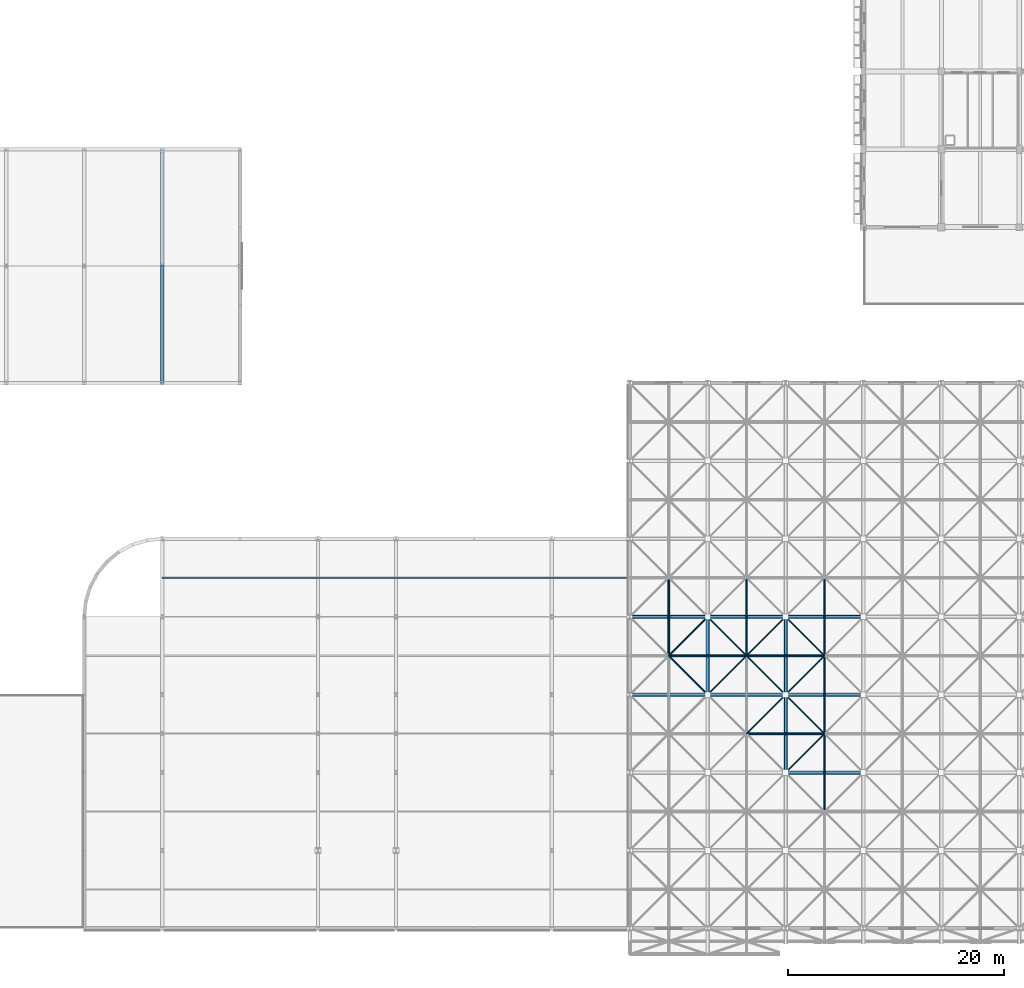
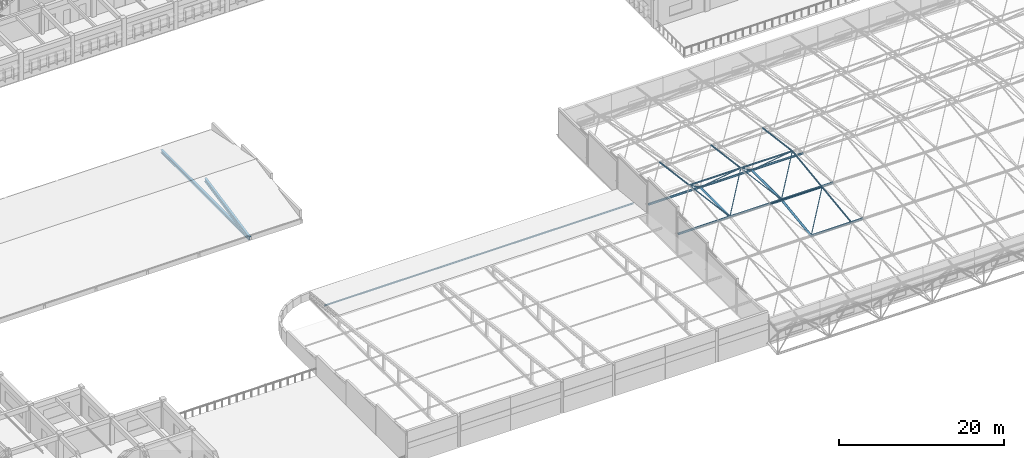
# One storey, part 36 of 103: 32 members.
"""IFC4 building model written with IfcOpenShell, lengths in metres."""

from ifc_helpers import new_model, si_unit, direction, frame, origin, origin_2d, place, context, subcontext, project, spatial, hollow_circle, i_section, extrude, material, material_profile, profile_set, type_object, element, save


model = new_model("IFC4")

# Units and contexts
model_context = context("Model", 3, precision=1e-05, world=origin(), true_north=direction((0.0, 1.0)))
body_context = subcontext(model_context, "Body", "Model", "MODEL_VIEW")
ifc_project = project(units=[si_unit("LENGTHUNIT", "METRE"), si_unit("AREAUNIT", "SQUARE_METRE"), si_unit("VOLUMEUNIT", "CUBIC_METRE"), si_unit("PLANEANGLEUNIT", "RADIAN"), si_unit("MASSUNIT", "GRAM", prefix="KILO")], contexts=[model_context])

# Site, building, storey
site_placement = place(None, origin())
site = spatial("IfcSite", under=ifc_project, at=site_placement, CompositionType="ELEMENT")
building_placement = place(site_placement, origin())
building = spatial("IfcBuilding", under=site, at=building_placement, Name="Thalmaran Polytechnic", CompositionType="ELEMENT")
storey_placement = place(building_placement, frame((0.0, 0.0, 14.39990234375)))
storey = spatial("IfcBuildingStorey", under=building, at=storey_placement, Name="L03", CompositionType="ELEMENT", Elevation=14.39990234375)

# Members
ifc_material = material(Name="Steel S355", Category="steel")
ifc_material_profile_1 = material_profile(ifc_material, i_section(OverallWidth=0.300048828125, OverallDepth=0.449951171875, WebThickness=0.013916015625, FlangeThickness=0.02587890625, at=origin_2d()), Name="HEB 450")
ifc_profile_set_1 = profile_set([ifc_material_profile_1], Name="Steel S355")
member_type_1 = type_object("IfcMemberType", Name="MB-CHD1", PredefinedType="CHORD", material=ifc_profile_set_1)
member_1_placement = place(storey_placement, frame((64.800048828125, 50.64990234375, 0.2001953125), z_axis=(0.0, 1.0, 0.0), x_axis=(-1.0, 0.0, 0.0)))
element("IfcMember", 1, at=member_1_placement, inside=storey, type_object=member_type_1, Name="Refectory Truss Bottom Tie G09", PredefinedType="CHORD", context=body_context, shape_type="SweptSolid", body=[
    extrude(i_section(OverallWidth=0.300048828125, OverallDepth=0.449951171875, WebThickness=0.013916015625, FlangeThickness=0.02587890625, at=origin_2d()), origin(), (0.0, 0.0, 1.0), 21.10009765625),
])
ifc_material_profile_2 = material_profile(ifc_material, i_section(OverallWidth=0.110107421875, OverallDepth=0.219970703125, WebThickness=0.005859375, FlangeThickness=0.00927734375, at=origin_2d()), Name="IPE 220")
ifc_profile_set_2 = profile_set([ifc_material_profile_2], Name="Steel S355")
member_type_2 = type_object("IfcMemberType", Name="MB-PUR1", PredefinedType="PURLIN", material=ifc_profile_set_2)
member_2_placement = place(storey_placement, frame((64.800048828125, 32.39990234375, 1.205078125), z_axis=(1.0, 0.0, 0.0), x_axis=(0.0, 1.0, 0.0)))
element("IfcMember", 2, at=member_2_placement, inside=storey, type_object=member_type_2, Name="Lecture Roof Purlin Y=32.4", PredefinedType="PURLIN", context=body_context, shape_type="SweptSolid", body=[
    extrude(i_section(OverallWidth=0.110107421875, OverallDepth=0.219970703125, WebThickness=0.005859375, FlangeThickness=0.00927734375, at=origin_2d()), origin(), (0.0, 0.0, 1.0), 43.199951171875),
])
ifc_material_profile_3 = material_profile(ifc_material, i_section(OverallWidth=0.300048828125, OverallDepth=0.550048828125, WebThickness=0.014892578125, FlangeThickness=0.029052734375, at=origin_2d()), Name="HEB 550")
ifc_profile_set_3 = profile_set([ifc_material_profile_3], Name="Steel S355")
member_type_3 = type_object("IfcMemberType", Name="MB-RAF1", PredefinedType="RAFTER", material=ifc_profile_set_3)
member_3_placement = place(storey_placement, frame((64.800048828125, 50.39990234375, 0.2001953125), z_axis=(0.0, 0.979925221211, 0.199365395278), x_axis=(-1.0, 0.0, 0.0)))
element("IfcMember", 3, at=member_3_placement, inside=storey, type_object=member_type_3, Name="Refectory Parasol Rafter G09-S", PredefinedType="RAFTER", context=body_context, shape_type="SweptSolid", body=[
    extrude(i_section(OverallWidth=0.300048828125, OverallDepth=0.550048828125, WebThickness=0.014892578125, FlangeThickness=0.029052734375, at=origin_2d()), origin(), (0.0, 0.0, 1.0), 11.021240234375),
])
ifc_material_profile_4 = material_profile(ifc_material, hollow_circle(Radius=0.161865234375, WallThickness=0.012451171875, at=origin_2d()), Name="CHS 323.9x12.5")
ifc_profile_set_4 = profile_set([ifc_material_profile_4], Name="Steel S355")
member_type_4 = type_object("IfcMemberType", Name="MB-SFC0", PredefinedType="CHORD", material=ifc_profile_set_4)
for number, where, z_axis, x_axis, name in (
    (4, (108.0, 21.60009765625, 3.223876953125), (1.0, 0.0, 0.0), (0.0, 1.0, 0.0), "Space-Frame Bottom Chord X (0,4)"),
    (5, (115.199951171875, 21.60009765625, 3.223876953125), (1.0, 0.0, 0.0), (0.0, 1.0, 0.0), "Space-Frame Bottom Chord X (1,4)"),
):
    element("IfcMember", number, at=place(storey_placement, frame(where, z_axis=z_axis, x_axis=x_axis)), inside=storey, type_object=member_type_4, Name=name, PredefinedType="CHORD", context=body_context, shape_type="SweptSolid", body=[
        extrude(hollow_circle(Radius=0.161865234375, WallThickness=0.012451171875, at=origin_2d()), origin(), (0.0, 0.0, 1.0), 7.199951171875),
    ])
member_4_placement = place(storey_placement, frame((122.39990234375, 21.60009765625, 3.223876953125), z_axis=(1.0, 0.0, 0.0), x_axis=(0.0, 1.0, 0.0)))
element("IfcMember", 6, at=member_4_placement, inside=storey, type_object=member_type_4, Name="Space-Frame Bottom Chord X (2,4)", PredefinedType="CHORD", context=body_context, shape_type="SweptSolid", body=[
    extrude(hollow_circle(Radius=0.161865234375, WallThickness=0.012451171875, at=origin_2d()), origin(), (0.0, 0.0, 1.0), 7.2001953125),
])
ifc_material_profile_5 = material_profile(ifc_material, hollow_circle(Radius=0.122314453125, WallThickness=0.010009765625, at=origin_2d()), Name="CHS 244.5x10.0")
ifc_profile_set_5 = profile_set([ifc_material_profile_5], Name="Steel S355")
member_type_5 = type_object("IfcMemberType", Name="MB-SFC1", PredefinedType="CHORD", material=ifc_profile_set_5)
for number, where, z_axis, x_axis, name in (
    (7, (111.60009765625, 25.199951171875, 6.9677734375), (1.0, 0.0, 0.0), (0.0, 1.0, 0.0), "Space-Frame Top Chord X (1,5)"),
    (8, (118.800048828125, 18.0, 6.019775390625), (1.0, 0.0, 0.0), (0.0, 1.0, 0.0), "Space-Frame Top Chord X (2,4)"),
    (9, (118.800048828125, 25.199951171875, 6.9677734375), (1.0, 0.0, 0.0), (0.0, 1.0, 0.0), "Space-Frame Top Chord X (2,5)"),
):
    element("IfcMember", number, at=place(storey_placement, frame(where, z_axis=z_axis, x_axis=x_axis)), inside=storey, type_object=member_type_5, Name=name, PredefinedType="CHORD", context=body_context, shape_type="SweptSolid", body=[
        extrude(hollow_circle(Radius=0.122314453125, WallThickness=0.010009765625, at=origin_2d()), origin(), (0.0, 0.0, 1.0), 7.199951171875),
    ])
ifc_material_profile_6 = material_profile(ifc_material, hollow_circle(Radius=0.109619140625, WallThickness=0.010009765625, at=origin_2d()), Name="CHS 219.1x10.0")
ifc_profile_set_6 = profile_set([ifc_material_profile_6], Name="Steel S355")
member_type_6 = type_object("IfcMemberType", Name="MB-SFC2", PredefinedType="CHORD", material=ifc_profile_set_6)
for number, where, z_axis, x_axis, name in (
    (10, (111.60009765625, 25.199951171875, 6.9677734375), (0.0, 0.991442963585, -0.130540606544), (-1.0, 0.0, 0.0), "Space-Frame Top Chord Y (1,5)"),
    (11, (118.800048828125, 25.199951171875, 6.9677734375), (0.0, 0.991442963585, -0.130540606544), (-1.0, 0.0, 0.0), "Space-Frame Top Chord Y (2,5)"),
):
    element("IfcMember", number, at=place(storey_placement, frame(where, z_axis=z_axis, x_axis=x_axis)), inside=storey, type_object=member_type_6, Name=name, PredefinedType="CHORD", context=body_context, shape_type="SweptSolid", body=[
        extrude(hollow_circle(Radius=0.109619140625, WallThickness=0.010009765625, at=origin_2d()), origin(), (0.0, 0.0, 1.0), 7.26220703125),
    ])
member_5_placement = place(storey_placement, frame((126.0, 10.800048828125, 5.072021484375), z_axis=(0.0, 0.991447314079, 0.130507560722), x_axis=(-1.0, 0.0, 0.0)))
element("IfcMember", 12, at=member_5_placement, inside=storey, type_object=member_type_6, Name="Space-Frame Top Chord Y (3,3)", PredefinedType="CHORD", context=body_context, shape_type="SweptSolid", body=[
    extrude(hollow_circle(Radius=0.109619140625, WallThickness=0.010009765625, at=origin_2d()), origin(), (0.0, 0.0, 1.0), 7.261962890625),
])
for number, where, z_axis, x_axis, name in (
    (13, (126.0, 18.0, 6.019775390625), (0.0, 0.991442963585, 0.130540606544), (-1.0, 0.0, 0.0), "Space-Frame Top Chord Y (3,4)"),
    (14, (126.0, 25.199951171875, 6.9677734375), (0.0, 0.991442963585, -0.130540606544), (-1.0, 0.0, 0.0), "Space-Frame Top Chord Y (3,5)"),
):
    element("IfcMember", number, at=place(storey_placement, frame(where, z_axis=z_axis, x_axis=x_axis)), inside=storey, type_object=member_type_6, Name=name, PredefinedType="CHORD", context=body_context, shape_type="SweptSolid", body=[
        extrude(hollow_circle(Radius=0.109619140625, WallThickness=0.010009765625, at=origin_2d()), origin(), (0.0, 0.0, 1.0), 7.26220703125),
    ])
ifc_material_profile_7 = material_profile(ifc_material, hollow_circle(Radius=0.161865234375, WallThickness=0.012451171875, at=origin_2d()), Name="CHS 323.9x12.5")
ifc_profile_set_7 = profile_set([ifc_material_profile_7], Name="Steel S355")
member_type_7 = type_object("IfcMemberType", Name="MB-SFC4", PredefinedType="CHORD", material=ifc_profile_set_7)
for number, where, z_axis, x_axis, name in (
    (15, (108.0, 28.800048828125, 3.223876953125), (1.0, 0.0, 0.0), (0.0, 1.0, 0.0), "Space-Frame Bottom Chord X (0,5)"),
    (16, (115.199951171875, 21.60009765625, 3.223876953125), (0.0, 1.0, 0.0), (-1.0, 0.0, 0.0), "Space-Frame Bottom Chord Y (1,4)"),
    (17, (115.199951171875, 28.800048828125, 3.223876953125), (1.0, 0.0, 0.0), (0.0, 1.0, 0.0), "Space-Frame Bottom Chord X (1,5)"),
):
    element("IfcMember", number, at=place(storey_placement, frame(where, z_axis=z_axis, x_axis=x_axis)), inside=storey, type_object=member_type_7, Name=name, PredefinedType="CHORD", context=body_context, shape_type="SweptSolid", body=[
        extrude(hollow_circle(Radius=0.161865234375, WallThickness=0.012451171875, at=origin_2d()), origin(), (0.0, 0.0, 1.0), 7.199951171875),
    ])
member_6_placement = place(storey_placement, frame((122.39990234375, 14.39990234375, 2.27587890625), z_axis=(1.0, 0.0, 0.0), x_axis=(0.0, 1.0, 0.0)))
element("IfcMember", 18, at=member_6_placement, inside=storey, type_object=member_type_7, Name="Space-Frame Bottom Chord X (2,3)", PredefinedType="CHORD", context=body_context, shape_type="SweptSolid", body=[
    extrude(hollow_circle(Radius=0.161865234375, WallThickness=0.012451171875, at=origin_2d()), origin(), (0.0, 0.0, 1.0), 7.2001953125),
])
member_7_placement = place(storey_placement, frame((122.39990234375, 14.39990234375, 2.27587890625), z_axis=(0.0, 0.991443536444, 0.130536255663), x_axis=(-1.0, 0.0, 0.0)))
element("IfcMember", 19, at=member_7_placement, inside=storey, type_object=member_type_7, Name="Space-Frame Bottom Chord Y (2,3)", PredefinedType="CHORD", context=body_context, shape_type="SweptSolid", body=[
    extrude(hollow_circle(Radius=0.161865234375, WallThickness=0.012451171875, at=origin_2d()), origin(), (0.0, 0.0, 1.0), 7.262451171875),
])
member_8_placement = place(storey_placement, frame((122.39990234375, 21.60009765625, 3.223876953125), z_axis=(0.0, 1.0, 0.0), x_axis=(-1.0, 0.0, 0.0)))
element("IfcMember", 20, at=member_8_placement, inside=storey, type_object=member_type_7, Name="Space-Frame Bottom Chord Y (2,4)", PredefinedType="CHORD", context=body_context, shape_type="SweptSolid", body=[
    extrude(hollow_circle(Radius=0.161865234375, WallThickness=0.012451171875, at=origin_2d()), origin(), (0.0, 0.0, 1.0), 7.199951171875),
])
member_9_placement = place(storey_placement, frame((122.39990234375, 28.800048828125, 3.223876953125), z_axis=(1.0, 0.0, 0.0), x_axis=(0.0, 1.0, 0.0)))
element("IfcMember", 21, at=member_9_placement, inside=storey, type_object=member_type_7, Name="Space-Frame Bottom Chord X (2,5)", PredefinedType="CHORD", context=body_context, shape_type="SweptSolid", body=[
    extrude(hollow_circle(Radius=0.161865234375, WallThickness=0.012451171875, at=origin_2d()), origin(), (0.0, 0.0, 1.0), 7.2001953125),
])
ifc_material_profile_8 = material_profile(ifc_material, hollow_circle(Radius=0.084228515625, WallThickness=0.008056640625, at=origin_2d()), Name="CHS 168.3x8.0")
ifc_profile_set_8 = profile_set([ifc_material_profile_8], Name="Steel S355")
member_type_8 = type_object("IfcMemberType", Name="MB-SFD1", PredefinedType="BRACE", material=ifc_profile_set_8)
member_10_placement = place(storey_placement, frame((115.199951171875, 21.60009765625, 3.223876953125), z_axis=(-0.569652331509, 0.569652331509, 0.592446151488), x_axis=(-0.707106781187, -0.707106781187, 0.0)))
element("IfcMember", 22, at=member_10_placement, inside=storey, type_object=member_type_8, Name="Space-Frame Web Diagonal (0,4)-2", PredefinedType="BRACE", context=body_context, shape_type="SweptSolid", body=[
    extrude(hollow_circle(Radius=0.084228515625, WallThickness=0.008056640625, at=origin_2d()), origin(), (0.0, 0.0, 1.0), 6.3193359375),
])
member_11_placement = place(storey_placement, frame((115.199951171875, 28.800048828125, 3.223876953125), z_axis=(-0.569639794751, -0.569678427494, 0.592433113089), x_axis=(0.707130757816, -0.707082803744, 0.0)))
element("IfcMember", 23, at=member_11_placement, inside=storey, type_object=member_type_8, Name="Space-Frame Web Diagonal (0,4)-4", PredefinedType="BRACE", context=body_context, shape_type="SweptSolid", body=[
    extrude(hollow_circle(Radius=0.084228515625, WallThickness=0.008056640625, at=origin_2d()), origin(), (0.0, 0.0, 1.0), 6.319580078125),
])
ifc_material_profile_9 = material_profile(ifc_material, hollow_circle(Radius=0.06982421875, WallThickness=0.008056640625, at=origin_2d()), Name="CHS 139.7x8.0")
ifc_profile_set_9 = profile_set([ifc_material_profile_9], Name="Steel S355")
member_type_9 = type_object("IfcMemberType", Name="MB-SFD2", PredefinedType="BRACE", material=ifc_profile_set_9)
member_12_placement = place(storey_placement, frame((122.39990234375, 21.60009765625, 3.223876953125), z_axis=(-0.619774282943, -0.619816315787, 0.481360128061), x_axis=(0.707130757816, -0.707082803744, 0.0)))
element("IfcMember", 24, at=member_12_placement, inside=storey, type_object=member_type_9, Name="Space-Frame Web Diagonal (1,3)-4", PredefinedType="BRACE", context=body_context, shape_type="SweptSolid", body=[
    extrude(hollow_circle(Radius=0.06982421875, WallThickness=0.008056640625, at=origin_2d()), origin(), (0.0, 0.0, 1.0), 5.808349609375),
])
member_13_placement = place(storey_placement, frame((115.199951171875, 21.60009765625, 3.223876953125), z_axis=(0.569678427494, 0.569639794751, 0.592433113089), x_axis=(-0.707082803744, 0.707130757816, 0.0)))
element("IfcMember", 25, at=member_13_placement, inside=storey, type_object=member_type_9, Name="Space-Frame Web Diagonal (1,4)-1", PredefinedType="BRACE", context=body_context, shape_type="SweptSolid", body=[
    extrude(hollow_circle(Radius=0.06982421875, WallThickness=0.008056640625, at=origin_2d()), origin(), (0.0, 0.0, 1.0), 6.319580078125),
])
member_14_placement = place(storey_placement, frame((122.39990234375, 21.60009765625, 3.223876953125), z_axis=(-0.569652331509, 0.569652331509, 0.592446151488), x_axis=(-0.707106781187, -0.707106781187, 0.0)))
element("IfcMember", 26, at=member_14_placement, inside=storey, type_object=member_type_9, Name="Space-Frame Web Diagonal (1,4)-2", PredefinedType="BRACE", context=body_context, shape_type="SweptSolid", body=[
    extrude(hollow_circle(Radius=0.06982421875, WallThickness=0.008056640625, at=origin_2d()), origin(), (0.0, 0.0, 1.0), 6.3193359375),
])
for number, where, z_axis, x_axis, name in (
    (27, (115.199951171875, 28.800048828125, 3.223876953125), (0.569665890713, -0.569665890713, 0.592420075552), (0.707106781187, 0.707106781187, 0.0), "Space-Frame Web Diagonal (1,4)-3"),
    (28, (122.39990234375, 28.800048828125, 3.223876953125), (-0.569639794751, -0.569678427494, 0.592433113089), (0.707130757816, -0.707082803744, 0.0), "Space-Frame Web Diagonal (1,4)-4"),
    (29, (122.39990234375, 14.39990234375, 2.27587890625), (0.569665890713, 0.569665890713, 0.592420075552), (-0.707106781187, 0.707106781187, 0.0), "Space-Frame Web Diagonal (2,3)-1"),
):
    element("IfcMember", number, at=place(storey_placement, frame(where, z_axis=z_axis, x_axis=x_axis)), inside=storey, type_object=member_type_9, Name=name, PredefinedType="BRACE", context=body_context, shape_type="SweptSolid", body=[
        extrude(hollow_circle(Radius=0.06982421875, WallThickness=0.008056640625, at=origin_2d()), origin(), (0.0, 0.0, 1.0), 6.319580078125),
    ])
member_15_placement = place(storey_placement, frame((122.39990234375, 21.60009765625, 3.223876953125), z_axis=(0.619800169112, -0.619800169112, 0.481347588273), x_axis=(0.707106781187, 0.707106781187, 0.0)))
element("IfcMember", 30, at=member_15_placement, inside=storey, type_object=member_type_9, Name="Space-Frame Web Diagonal (2,3)-3", PredefinedType="BRACE", context=body_context, shape_type="SweptSolid", body=[
    extrude(hollow_circle(Radius=0.06982421875, WallThickness=0.008056640625, at=origin_2d()), origin(), (0.0, 0.0, 1.0), 5.80859375),
])
for number, where, z_axis, x_axis, name in (
    (31, (122.39990234375, 21.60009765625, 3.223876953125), (0.569678427494, 0.569639794751, 0.592433113089), (-0.707082803744, 0.707130757816, 0.0), "Space-Frame Web Diagonal (2,4)-1"),
    (32, (122.39990234375, 28.800048828125, 3.223876953125), (0.569665890713, -0.569665890713, 0.592420075552), (0.707106781187, 0.707106781187, 0.0), "Space-Frame Web Diagonal (2,4)-3"),
):
    element("IfcMember", number, at=place(storey_placement, frame(where, z_axis=z_axis, x_axis=x_axis)), inside=storey, type_object=member_type_9, Name=name, PredefinedType="BRACE", context=body_context, shape_type="SweptSolid", body=[
        extrude(hollow_circle(Radius=0.06982421875, WallThickness=0.008056640625, at=origin_2d()), origin(), (0.0, 0.0, 1.0), 6.319580078125),
    ])

save(model, "model.ifc")
